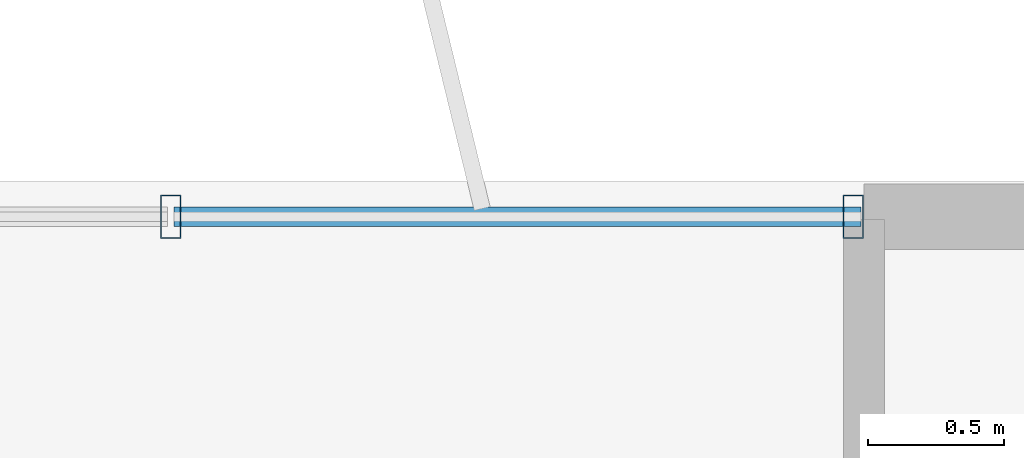
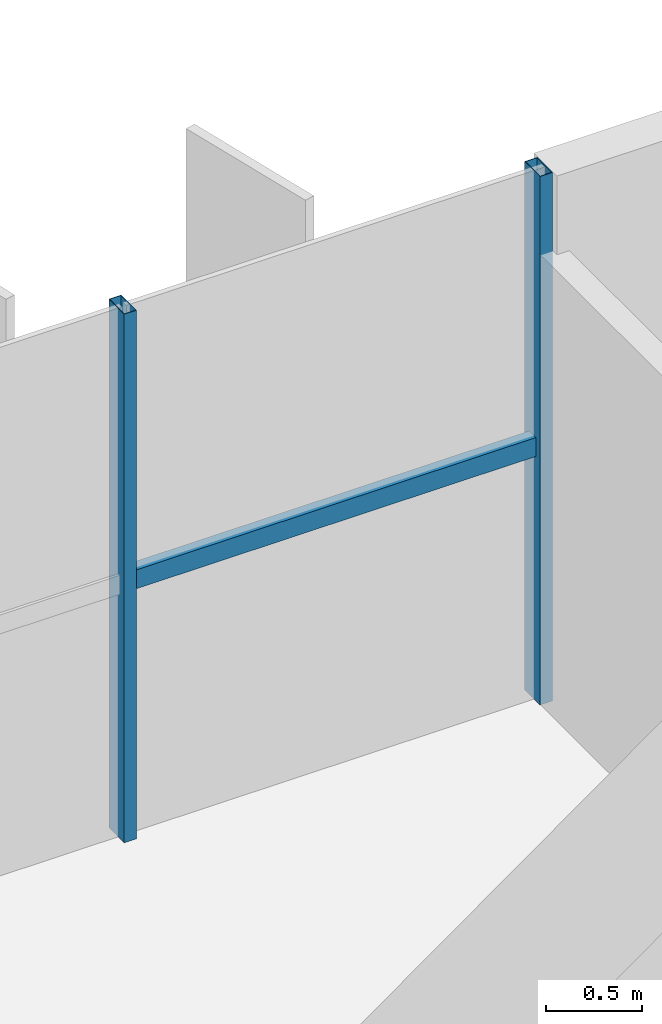
# One storey, part 14 of 23: 3 members, 1 element without a shape of its own.
"""IFC4 building model written with IfcOpenShell, lengths in metres."""

from ifc_helpers import new_model, si_unit, direction, frame, origin, origin_2d, place, context, subcontext, project, spatial, hollow_rectangle, extrude, source, transform, mapped, material, material_profile, profile_set, type_object, element, aggregate, save


model = new_model("IFC4")

# Units and contexts
model_context = context("Model", 3, precision=1e-05, world=origin(), true_north=direction((0.0, 1.0)))
body_context = subcontext(model_context, "Body", "Model", "MODEL_VIEW")
ifc_project = project(units=[si_unit("LENGTHUNIT", "METRE"), si_unit("AREAUNIT", "SQUARE_METRE"), si_unit("VOLUMEUNIT", "CUBIC_METRE"), si_unit("PLANEANGLEUNIT", "RADIAN"), si_unit("MASSUNIT", "GRAM", prefix="KILO")], contexts=[model_context])

# Site, building, storey
site_placement = place(None, origin())
site = spatial("IfcSite", under=ifc_project, at=site_placement, CompositionType="ELEMENT")
building_placement = place(site_placement, origin())
building = spatial("IfcBuilding", under=site, at=building_placement, Name="Trelvane Seafront Commons", CompositionType="ELEMENT")
storey_placement = place(building_placement, frame((0.0, 0.0, 208.5)))
storey = spatial("IfcBuildingStorey", under=building, at=storey_placement, Name="L54", CompositionType="ELEMENT", Elevation=208.5)

# Curtain wall, members
ifc_material = material(Name="Anodised pale-silver aluminium", Category="aluminium")
curtain_wall_type = type_object("IfcCurtainWallType", Name="ARCH-CW5-UPTOWER", PredefinedType="NOTDEFINED", material=ifc_material)
curtain_wall_placement = place(storey_placement, origin())
curtain_wall = element("IfcCurtainWall", 1, at=curtain_wall_placement, inside=storey, type_object=curtain_wall_type, Name="CW-L54-0097", PredefinedType="NOTDEFINED")
ifc_material_profile_1 = material_profile(ifc_material, hollow_rectangle(XDim=0.070068359375, YDim=0.1201171875, WallThickness=0.00390625, at=origin_2d()), Name="TRAN-70x120x4")
ifc_profile_set_1 = profile_set([ifc_material_profile_1], Name="Anodised pale-silver aluminium")
member_type_1 = type_object("IfcMemberType", Name="ARCH-CW-TRAN-120", PredefinedType="USERDEFINED", material=ifc_profile_set_1)
shared_shape_1 = source(origin(), body_context, "Body", "SweptSolid", [
    extrude(hollow_rectangle(XDim=0.070068359375, YDim=0.1201171875, WallThickness=0.00390625, at=origin_2d()), origin(), (0.0, 0.0, 1.0), 2.517333984375),
])
member_1_placement = place(storey_placement, frame((56.270751953125, 48.3701171875, 1.613037109375), z_axis=(1.0, 0.0, 0.0), x_axis=(0.0, 1.0, 0.0)))
member_1 = element("IfcMember", 2, at=member_1_placement, type_object=member_type_1, Name="CW-L54-0097-T16", ObjectType="TRANSOM", PredefinedType="USERDEFINED", context=body_context, shape_type="MappedRepresentation", body=[
    mapped(shared_shape_1, transform((0.0, 0.0, 0.0), x_axis=(1.0, 0.0, 0.0), y_axis=(0.0, 1.0, 0.0), z_axis=(0.0, 0.0, 1.0), scale=1.0)),
])
ifc_material_profile_2 = material_profile(ifc_material, hollow_rectangle(XDim=0.074951171875, YDim=0.159912109375, WallThickness=0.00390625, at=origin_2d()), Name="MULL-75x160x4")
ifc_profile_set_2 = profile_set([ifc_material_profile_2], Name="Anodised pale-silver aluminium")
member_type_2 = type_object("IfcMemberType", Name="ARCH-CW-MULL-160", PredefinedType="MULLION", material=ifc_profile_set_2)
shared_shape_2 = source(origin(), body_context, "Body", "SweptSolid", [
    extrude(hollow_rectangle(XDim=0.074951171875, YDim=0.159912109375, WallThickness=0.00390625, at=origin_2d()), origin(), (0.0, 0.0, 1.0), 3.360107421875),
])
member_2_placement = place(storey_placement, frame((56.2587890625, 48.3701171875, 0.0), z_axis=(0.0, 0.0, 1.0), x_axis=(1.0, 0.0, 0.0)))
member_2 = element("IfcMember", 3, at=member_2_placement, type_object=member_type_2, Name="CW-L54-0097-M16", PredefinedType="MULLION", context=body_context, shape_type="MappedRepresentation", body=[
    mapped(shared_shape_2, transform((0.0, 0.0, 0.0), x_axis=(1.0, 0.0, 0.0), y_axis=(0.0, 1.0, 0.0), z_axis=(0.0, 0.0, 1.0), scale=1.0)),
])
member_3_placement = place(storey_placement, frame((58.760009765625, 48.3701171875, 0.0), z_axis=(0.0, 0.0, 1.0), x_axis=(1.0, 0.0, 0.0)))
member_3 = element("IfcMember", 4, at=member_3_placement, type_object=member_type_2, Name="CW-L54-0097-M17", PredefinedType="MULLION", context=body_context, shape_type="MappedRepresentation", body=[
    mapped(shared_shape_2, transform((0.0, 0.0, 0.0), x_axis=(1.0, 0.0, 0.0), y_axis=(0.0, 1.0, 0.0), z_axis=(0.0, 0.0, 1.0), scale=1.0)),
])
aggregate(curtain_wall, [member_2, member_3, member_1])

save(model, "model.ifc")
